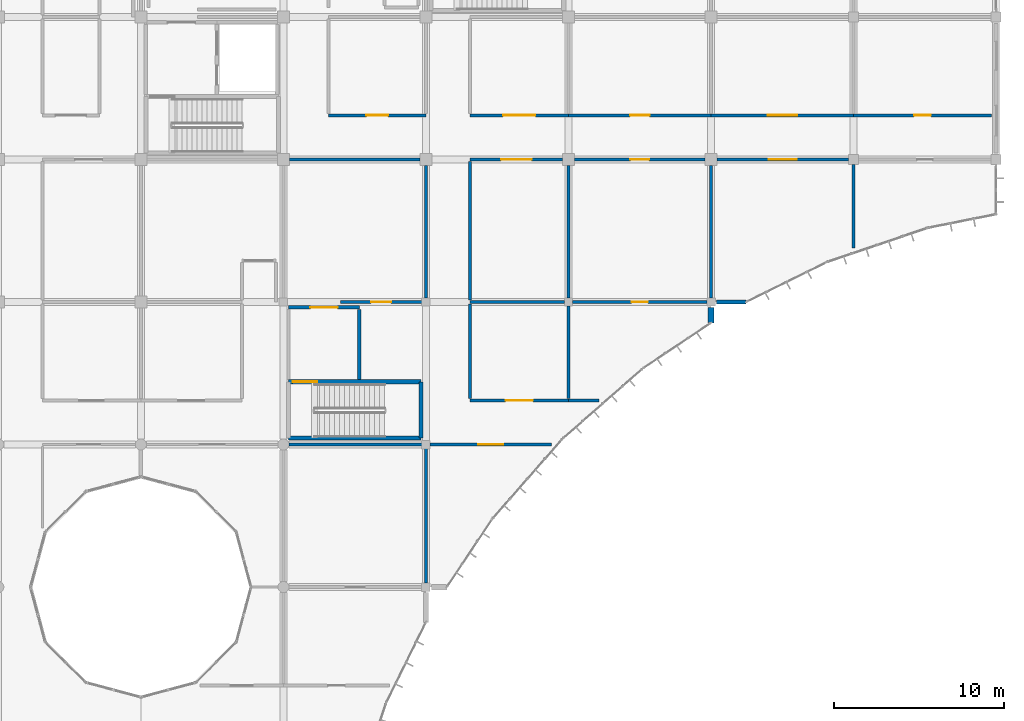
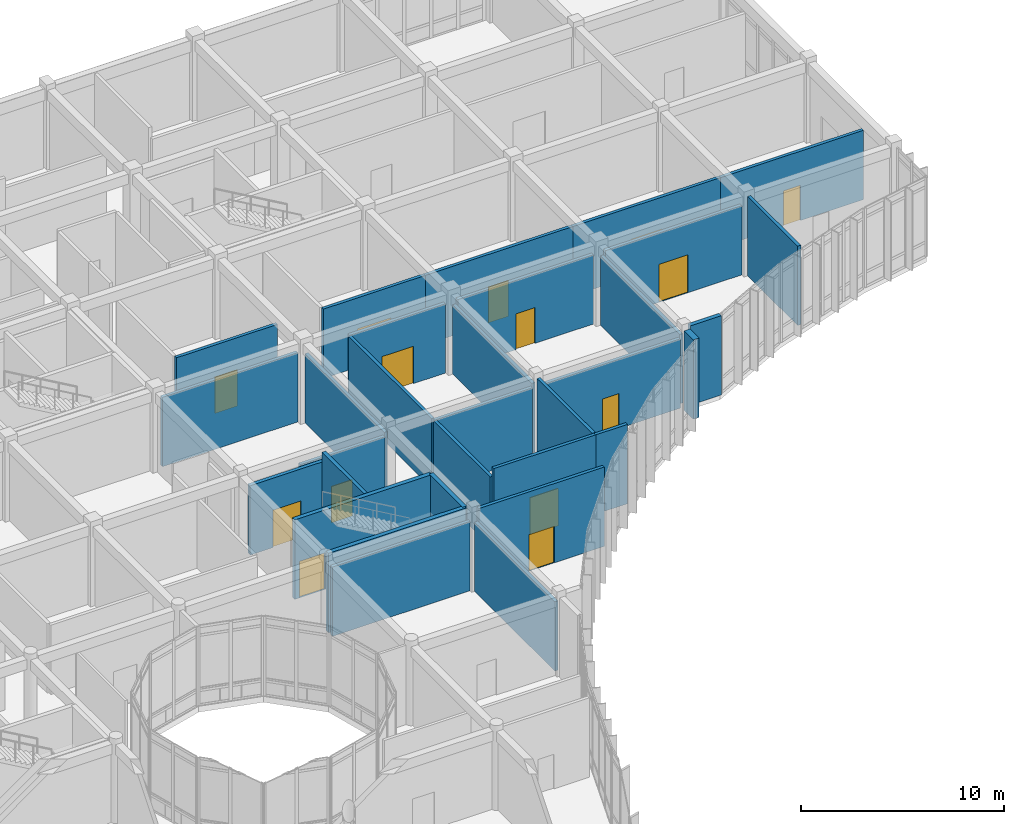
# One storey, part 110 of 134: 31 walls, 14 doors, 14 openings.
"""IFC4 building model written with IfcOpenShell, lengths in metres."""

from ifc_helpers import new_model, si_unit, direction, frame, frame_2d, origin, place, context, subcontext, project, spatial, rectangle, extrude, material, layer, layer_set, type_object, element, fill, save


model = new_model("IFC4")

# Units and contexts
model_context = context("Model", 3, precision=1e-05, world=origin(), true_north=direction((0.0, 1.0)))
body_context = subcontext(model_context, "Body", "Model", "MODEL_VIEW")
ifc_project = project(units=[si_unit("LENGTHUNIT", "METRE"), si_unit("AREAUNIT", "SQUARE_METRE"), si_unit("VOLUMEUNIT", "CUBIC_METRE"), si_unit("PLANEANGLEUNIT", "RADIAN"), si_unit("MASSUNIT", "GRAM", prefix="KILO")], contexts=[model_context])

# Site, building, storey
site_placement = place(None, origin())
site = spatial("IfcSite", under=ifc_project, at=site_placement, CompositionType="ELEMENT")
building_placement = place(site_placement, origin())
building = spatial("IfcBuilding", under=site, at=building_placement, Name="Bramfleet General Hospital", CompositionType="ELEMENT")
storey_placement = place(building_placement, frame((0.0, 0.0, 9.300048828125)))
storey = spatial("IfcBuildingStorey", under=building, at=storey_placement, Name="L02", CompositionType="ELEMENT", Elevation=9.300048828125)

# Walls
ifc_material_1 = material(Name="Precast concrete C40/50", Category="concrete")
ifc_layer_1 = layer(ifc_material_1, 0.3349609375, Name="WT-EW-03")
ifc_layer_set_1 = layer_set([ifc_layer_1], Name="Precast concrete C40/50")
wall_type_1 = type_object("IfcWallType", Name="WT-EW-03", PredefinedType="SOLIDWALL", material=ifc_layer_set_1)
wall_1_placement = place(storey_placement, frame((151.199951171875, 83.675048828125, 0.0), z_axis=(0.0, 0.0, 1.0), x_axis=(0.0, -1.0, 0.0)))
element("IfcWall", 1, at=wall_1_placement, inside=storey, type_object=wall_type_1, Name="L02 Exterior Wall 218", PredefinedType="SOLIDWALL", context=body_context, shape_type="SweptSolid", body=[
    extrude(rectangle(XDim=0.907958984375, YDim=0.3349609375, at=frame_2d((0.4541015625, 0.0))), origin(), (0.0, 0.0, 1.0), 4.77001953125),
])
ifc_layer_2 = layer(ifc_material_1, 0.235107421875, Name="WT-EW-09")
ifc_layer_set_2 = layer_set([ifc_layer_2], Name="Precast concrete C40/50")
wall_type_2 = type_object("IfcWallType", Name="WT-EW-09", PredefinedType="SOLIDWALL", material=ifc_layer_set_2)
wall_2_placement = place(storey_placement, frame((153.27392578125, 84.0, 0.0), z_axis=(0.0, 0.0, 1.0), x_axis=(-1.0, 0.0, 0.0)))
element("IfcWall", 2, at=wall_2_placement, inside=storey, type_object=wall_type_2, Name="L02 Exterior Wall 217", PredefinedType="SOLIDWALL", context=body_context, shape_type="SweptSolid", body=[
    extrude(rectangle(XDim=1.7490234375, YDim=0.235107421875, at=frame_2d((0.87451171875, 0.0))), origin(), (0.0, 0.0, 1.0), 4.77001953125),
])
ifc_material_2 = material(Name="Concrete C35/45", Category="concrete")
ifc_layer_3 = layer(ifc_material_2, 0.205078125, Name="WT-IW-02")
ifc_layer_set_3 = layer_set([ifc_layer_3], Name="Concrete C35/45")
wall_type_3 = type_object("IfcWallType", Name="WT-IW-02", PredefinedType="PARTITIONING", material=ifc_layer_set_3)
wall_3_placement = place(storey_placement, frame((130.47998046875, 79.43994140625, 0.0), z_axis=(0.0, 0.0, 1.0), x_axis=(0.0, 1.0, 0.0)))
element("IfcWall", 3, at=wall_3_placement, inside=storey, type_object=wall_type_3, Name="L02 C12 Lobby East Shaft Wall", PredefinedType="PARTITIONING", context=body_context, shape_type="SweptSolid", body=[
    extrude(rectangle(XDim=4.1201171875, YDim=0.205078125, at=frame_2d((2.06005859375, 0.0))), origin(), (0.0, 0.0, 1.0), 4.77001953125),
])

# Wall, opening, door
wall_4_placement = place(storey_placement, frame((126.300048828125, 83.679931640625, 0.0), z_axis=(0.0, 0.0, 1.0), x_axis=(1.0, 0.0, 0.0)))
wall_4 = element("IfcWall", 4, at=wall_4_placement, inside=storey, type_object=wall_type_3, Name="L02 C12 Lobby North Compartment Wall", PredefinedType="PARTITIONING", context=body_context, shape_type="SweptSolid", body=[
    extrude(rectangle(XDim=4.179931640625, YDim=0.205078125, at=frame_2d((2.08984375, 0.0))), origin(), (0.0, 0.0, 1.0), 4.169921875),
])
opening_1_placement = place(wall_4_placement, frame((1.2900390625, 0.0, 0.0)))
opening_1 = element("IfcOpeningElement", 5, at=opening_1_placement, cuts=wall_4, Name="Opening D0162", PredefinedType="OPENING", context=body_context, shape_type="SweptSolid", body=[
    extrude(rectangle(XDim=1.60009765625, YDim=2.25, at=frame_2d((0.800048828125, 1.125))), frame((0.0, 0.112548828125, 0.0), z_axis=(0.0, -1.0, 0.0), x_axis=(1.0, 0.0, 0.0)), (0.0, 0.0, 1.0), 0.22509765625),
])
ifc_material_3 = material(Name="Stainless steel and acoustic timber leaf", Category="steel")
door_type_1 = type_object("IfcDoorType", Name="DR-D-04", OperationType="NOTDEFINED", PredefinedType="DOOR", material=ifc_material_3)
door_1_placement = place(opening_1_placement, origin())
door_1 = element("IfcDoor", 6, at=door_1_placement, inside=storey, type_object=door_type_1, Name="L02 C12 Lobby Fire Door D0162", OperationType="DOUBLE_SWING_LEFT", OverallHeight=2.25, OverallWidth=1.60009765625, PredefinedType="DOOR", context=body_context, shape_type="SweptSolid", body=[
    extrude(rectangle(XDim=1.60009765625, YDim=2.25, at=frame_2d((0.800048828125, 1.125))), frame((0.0, 0.02490234375, 0.0), z_axis=(0.0, -1.0, 0.0), x_axis=(1.0, 0.0, 0.0)), (0.0, 0.0, 1.0), 0.050048828125),
])
fill(opening_1, door_1)

# Wall
ifc_layer_4 = layer(ifc_material_2, 0.179931640625, Name="WT-IW-04")
ifc_layer_set_4 = layer_set([ifc_layer_4], Name="Concrete C35/45")
wall_type_4 = type_object("IfcWallType", Name="WT-IW-04", PredefinedType="PARTITIONING", material=ifc_layer_set_4)
wall_5_placement = place(storey_placement, frame((126.320068359375, 75.60009765625, 0.0), z_axis=(0.0, 0.0, 1.0), x_axis=(1.0, 0.0, 0.0)))
element("IfcWall", 7, at=wall_5_placement, inside=storey, type_object=wall_type_4, Name="L02 Interior Partition IW-L02-2027", PredefinedType="PARTITIONING", context=body_context, shape_type="SweptSolid", body=[
    extrude(rectangle(XDim=7.8349609375, YDim=0.179931640625, at=frame_2d((3.91748046875, 0.0))), origin(), (0.0, 0.0, 1.0), 4.169921875),
])

# Wall, opening, door
wall_6_placement = place(storey_placement, frame((134.64501953125, 75.60009765625, 0.0), z_axis=(0.0, 0.0, 1.0), x_axis=(1.0, 0.0, 0.0)))
wall_6 = element("IfcWall", 8, at=wall_6_placement, inside=storey, type_object=wall_type_4, Name="L02 Interior Partition IW-L02-2028", PredefinedType="PARTITIONING", context=body_context, shape_type="SweptSolid", body=[
    extrude(rectangle(XDim=7.142578125, YDim=0.179931640625, at=frame_2d((3.5712890625, 0.0))), origin(), (0.0, 0.0, 1.0), 4.77001953125),
])
opening_2_placement = place(wall_6_placement, frame((2.84619140625, 0.0, 0.0)))
opening_2 = element("IfcOpeningElement", 9, at=opening_2_placement, cuts=wall_6, Name="Opening D0995", PredefinedType="OPENING", context=body_context, shape_type="SweptSolid", body=[
    extrude(rectangle(XDim=1.449951171875, YDim=2.199951171875, at=frame_2d((0.72509765625, 1.10009765625))), frame((0.0, 0.099853515625, 0.0), z_axis=(0.0, -1.0, 0.0), x_axis=(1.0, 0.0, 0.0)), (0.0, 0.0, 1.0), 0.199951171875),
])
door_type_2 = type_object("IfcDoorType", Name="DR-D-03", OperationType="NOTDEFINED", PredefinedType="DOOR", material=ifc_material_3)
door_2_placement = place(opening_2_placement, origin())
door_2 = element("IfcDoor", 10, at=door_2_placement, inside=storey, type_object=door_type_2, Name="Interventional Cardiology Cath Lab L02-1608 Door D0995", OperationType="SINGLE_SWING_RIGHT", OverallHeight=2.199951171875, OverallWidth=1.449951171875, PredefinedType="DOOR", context=body_context, shape_type="SweptSolid", body=[
    extrude(rectangle(XDim=1.449951171875, YDim=2.199951171875, at=frame_2d((0.72509765625, 1.10009765625))), frame((0.0, 0.02490234375, 0.0), z_axis=(0.0, -1.0, 0.0), x_axis=(1.0, 0.0, 0.0)), (0.0, 0.0, 1.0), 0.050048828125),
])
fill(opening_2, door_2)

wall_7_placement = place(storey_placement, frame((137.0, 78.199951171875, 0.0), z_axis=(0.0, 0.0, 1.0), x_axis=(1.0, 0.0, 0.0)))
wall_7 = element("IfcWall", 11, at=wall_7_placement, inside=storey, type_object=wall_type_4, Name="L02 Interior Partition IW-L02-2044", PredefinedType="PARTITIONING", context=body_context, shape_type="SweptSolid", body=[
    extrude(rectangle(XDim=5.800048828125, YDim=0.179931640625, at=frame_2d((2.89990234375, 0.0))), origin(), (0.0, 0.0, 1.0), 4.77001953125),
])
opening_3_placement = place(wall_7_placement, frame((2.10009765625, 0.0, 0.0)))
opening_3 = element("IfcOpeningElement", 12, at=opening_3_placement, cuts=wall_7, Name="Opening D0996", PredefinedType="OPENING", context=body_context, shape_type="SweptSolid", body=[
    extrude(rectangle(XDim=1.60009765625, YDim=2.25, at=frame_2d((0.800048828125, 1.125))), frame((0.0, 0.099853515625, 0.0), z_axis=(0.0, -1.0, 0.0), x_axis=(1.0, 0.0, 0.0)), (0.0, 0.0, 1.0), 0.199951171875),
])
door_3_placement = place(opening_3_placement, origin())
door_3 = element("IfcDoor", 13, at=door_3_placement, inside=storey, type_object=door_type_1, Name="Interventional Cardiology Cath Lab L02-1609 Door D0996", OperationType="DOUBLE_SWING_LEFT", OverallHeight=2.25, OverallWidth=1.60009765625, PredefinedType="DOOR", context=body_context, shape_type="SweptSolid", body=[
    extrude(rectangle(XDim=1.60009765625, YDim=2.25, at=frame_2d((0.800048828125, 1.125))), frame((0.0, 0.02490234375, 0.0), z_axis=(0.0, -1.0, 0.0), x_axis=(1.0, 0.0, 0.0)), (0.0, 0.0, 1.0), 0.050048828125),
])
fill(opening_3, door_3)

# Wall
wall_8_placement = place(storey_placement, frame((142.800048828125, 78.199951171875, 0.0), z_axis=(0.0, 0.0, 1.0), x_axis=(1.0, 0.0, 0.0)))
element("IfcWall", 14, at=wall_8_placement, inside=storey, type_object=wall_type_4, Name="L02 Interior Partition IW-L02-2045", PredefinedType="PARTITIONING", context=body_context, shape_type="SweptSolid", body=[
    extrude(rectangle(XDim=1.809814453125, YDim=0.179931640625, at=frame_2d((0.90478515625, 0.0))), origin(), (0.0, 0.0, 1.0), 4.77001953125),
])

# Wall, opening, door
wall_9_placement = place(storey_placement, frame((129.35009765625, 84.0, 0.0), z_axis=(0.0, 0.0, 1.0), x_axis=(1.0, 0.0, 0.0)))
wall_9 = element("IfcWall", 15, at=wall_9_placement, inside=storey, type_object=wall_type_4, Name="L02 Interior Partition IW-L02-2061", PredefinedType="PARTITIONING", context=body_context, shape_type="SweptSolid", body=[
    extrude(rectangle(XDim=4.804931640625, YDim=0.179931640625, at=frame_2d((2.40234375, 0.0))), origin(), (0.0, 0.0, 1.0), 4.169921875),
])
opening_4_placement = place(wall_9_placement, frame((1.8125, 0.0, 0.0)))
opening_4 = element("IfcOpeningElement", 16, at=opening_4_placement, cuts=wall_9, Name="Opening D0988", PredefinedType="OPENING", context=body_context, shape_type="SweptSolid", body=[
    extrude(rectangle(XDim=1.179931640625, YDim=2.179931640625, at=frame_2d((0.58984375, 1.08984375))), frame((0.0, 0.099853515625, 0.0), z_axis=(0.0, -1.0, 0.0), x_axis=(1.0, 0.0, 0.0)), (0.0, 0.0, 1.0), 0.199951171875),
])
door_type_3 = type_object("IfcDoorType", Name="DR-D-28", OperationType="NOTDEFINED", PredefinedType="DOOR", material=ifc_material_3)
door_4_placement = place(opening_4_placement, origin())
door_4 = element("IfcDoor", 17, at=door_4_placement, inside=storey, type_object=door_type_3, Name="Interventional Cardiology Cath Lab L02-1510 Door D0988", OperationType="SINGLE_SWING_LEFT", OverallHeight=2.179931640625, OverallWidth=1.179931640625, PredefinedType="DOOR", context=body_context, shape_type="SweptSolid", body=[
    extrude(rectangle(XDim=1.179931640625, YDim=2.179931640625, at=frame_2d((0.58984375, 1.08984375))), frame((0.0, 0.02490234375, 0.0), z_axis=(0.0, -1.0, 0.0), x_axis=(1.0, 0.0, 0.0)), (0.0, 0.0, 1.0), 0.050048828125),
])
fill(opening_4, door_4)

# Wall
wall_10_placement = place(storey_placement, frame((137.0, 84.0, 0.0), z_axis=(0.0, 0.0, 1.0), x_axis=(1.0, 0.0, 0.0)))
element("IfcWall", 18, at=wall_10_placement, inside=storey, type_object=wall_type_4, Name="L02 Interior Partition IW-L02-2062", PredefinedType="PARTITIONING", context=body_context, shape_type="SweptSolid", body=[
    extrude(rectangle(XDim=5.554931640625, YDim=0.179931640625, at=frame_2d((2.77734375, 0.0))), origin(), (0.0, 0.0, 1.0), 4.169921875),
])

# Wall, opening, door
wall_11_placement = place(storey_placement, frame((143.044921875, 84.0, 0.0), z_axis=(0.0, 0.0, 1.0), x_axis=(1.0, 0.0, 0.0)))
wall_11 = element("IfcWall", 19, at=wall_11_placement, inside=storey, type_object=wall_type_4, Name="L02 Interior Partition IW-L02-2063", PredefinedType="PARTITIONING", context=body_context, shape_type="SweptSolid", body=[
    extrude(rectangle(XDim=7.91015625, YDim=0.179931640625, at=frame_2d((3.955078125, 0.0))), origin(), (0.0, 0.0, 1.0), 4.169921875),
])
opening_5_placement = place(wall_11_placement, frame((3.47998046875, 0.0, 0.0)))
opening_5 = element("IfcOpeningElement", 20, at=opening_5_placement, cuts=wall_11, Name="Opening D1002", PredefinedType="OPENING", context=body_context, shape_type="SweptSolid", body=[
    extrude(rectangle(XDim=0.949951171875, YDim=2.10009765625, at=frame_2d((0.47509765625, 1.050048828125))), frame((0.0, 0.099853515625, 0.0), z_axis=(0.0, -1.0, 0.0), x_axis=(1.0, 0.0, 0.0)), (0.0, 0.0, 1.0), 0.199951171875),
])
door_type_4 = type_object("IfcDoorType", Name="DR-D-10", OperationType="NOTDEFINED", PredefinedType="DOOR", material=ifc_material_3)
door_5_placement = place(opening_5_placement, origin())
door_5 = element("IfcDoor", 21, at=door_5_placement, inside=storey, type_object=door_type_4, Name="Interventional Cardiology Cath Lab L02-1709 Door D1002", OperationType="SINGLE_SWING_LEFT", OverallHeight=2.10009765625, OverallWidth=0.949951171875, PredefinedType="DOOR", context=body_context, shape_type="SweptSolid", body=[
    extrude(rectangle(XDim=0.949951171875, YDim=2.10009765625, at=frame_2d((0.47509765625, 1.050048828125))), frame((0.0, 0.02490234375, 0.0), z_axis=(0.0, -1.0, 0.0), x_axis=(1.0, 0.0, 0.0)), (0.0, 0.0, 1.0), 0.050048828125),
])
fill(opening_5, door_5)

# Wall
wall_12_placement = place(storey_placement, frame((126.344970703125, 92.39990234375, 0.0), z_axis=(0.0, 0.0, 1.0), x_axis=(1.0, 0.0, 0.0)))
element("IfcWall", 22, at=wall_12_placement, inside=storey, type_object=wall_type_4, Name="L02 Interior Partition IW-L02-2090", PredefinedType="PARTITIONING", context=body_context, shape_type="SweptSolid", body=[
    extrude(rectangle(XDim=7.7099609375, YDim=0.179931640625, at=frame_2d((3.85498046875, 0.0))), origin(), (0.0, 0.0, 1.0), 4.169921875),
])

# Wall, opening, door
wall_13_placement = place(storey_placement, frame((137.0, 92.39990234375, 0.0), z_axis=(0.0, 0.0, 1.0), x_axis=(1.0, 0.0, 0.0)))
wall_13 = element("IfcWall", 23, at=wall_13_placement, inside=storey, type_object=wall_type_4, Name="L02 Interior Partition IW-L02-2091", PredefinedType="PARTITIONING", context=body_context, shape_type="SweptSolid", body=[
    extrude(rectangle(XDim=5.455078125, YDim=0.179931640625, at=frame_2d((2.7275390625, 0.0))), origin(), (0.0, 0.0, 1.0), 4.169921875),
])
opening_6_placement = place(wall_13_placement, frame((1.827392578125, 0.0, 0.0)))
opening_6 = element("IfcOpeningElement", 24, at=opening_6_placement, cuts=wall_13, Name="Opening D0997", PredefinedType="OPENING", context=body_context, shape_type="SweptSolid", body=[
    extrude(rectangle(XDim=1.800048828125, YDim=2.25, at=frame_2d((0.89990234375, 1.125))), frame((0.0, 0.099853515625, 0.0), z_axis=(0.0, -1.0, 0.0), x_axis=(1.0, 0.0, 0.0)), (0.0, 0.0, 1.0), 0.199951171875),
])
door_type_5 = type_object("IfcDoorType", Name="DR-D-05", OperationType="NOTDEFINED", PredefinedType="DOOR", material=ifc_material_3)
door_6_placement = place(opening_6_placement, origin())
door_6 = element("IfcDoor", 25, at=door_6_placement, inside=storey, type_object=door_type_5, Name="Interventional Cardiology Cath Lab L02-1610 Door D0997", OperationType="DOUBLE_SWING_RIGHT", OverallHeight=2.25, OverallWidth=1.800048828125, PredefinedType="DOOR", context=body_context, shape_type="SweptSolid", body=[
    extrude(rectangle(XDim=1.800048828125, YDim=2.25, at=frame_2d((0.89990234375, 1.125))), frame((0.0, 0.02490234375, 0.0), z_axis=(0.0, -1.0, 0.0), x_axis=(1.0, 0.0, 0.0)), (0.0, 0.0, 1.0), 0.050048828125),
])
fill(opening_6, door_6)

wall_14_placement = place(storey_placement, frame((143.14501953125, 92.39990234375, 0.0), z_axis=(0.0, 0.0, 1.0), x_axis=(1.0, 0.0, 0.0)))
wall_14 = element("IfcWall", 26, at=wall_14_placement, inside=storey, type_object=wall_type_4, Name="L02 Interior Partition IW-L02-2092", PredefinedType="PARTITIONING", context=body_context, shape_type="SweptSolid", body=[
    extrude(rectangle(XDim=7.7099609375, YDim=0.179931640625, at=frame_2d((3.85498046875, 0.0))), origin(), (0.0, 0.0, 1.0), 4.169921875),
])
opening_7_placement = place(wall_14_placement, frame((3.304931640625, 0.0, 0.0)))
opening_7 = element("IfcOpeningElement", 27, at=opening_7_placement, cuts=wall_14, Name="Opening D1003", PredefinedType="OPENING", context=body_context, shape_type="SweptSolid", body=[
    extrude(rectangle(XDim=1.10009765625, YDim=2.14990234375, at=frame_2d((0.550048828125, 1.074951171875))), frame((0.0, 0.099853515625, 0.0), z_axis=(0.0, -1.0, 0.0), x_axis=(1.0, 0.0, 0.0)), (0.0, 0.0, 1.0), 0.199951171875),
])
door_type_6 = type_object("IfcDoorType", Name="DR-D-11", OperationType="NOTDEFINED", PredefinedType="DOOR", material=ifc_material_3)
door_7_placement = place(opening_7_placement, origin())
door_7 = element("IfcDoor", 28, at=door_7_placement, inside=storey, type_object=door_type_6, Name="Interventional Cardiology Cath Lab L02-1710 Door D1003", OperationType="SINGLE_SWING_RIGHT", OverallHeight=2.14990234375, OverallWidth=1.10009765625, PredefinedType="DOOR", context=body_context, shape_type="SweptSolid", body=[
    extrude(rectangle(XDim=1.10009765625, YDim=2.14990234375, at=frame_2d((0.550048828125, 1.074951171875))), frame((0.0, 0.02490234375, 0.0), z_axis=(0.0, -1.0, 0.0), x_axis=(1.0, 0.0, 0.0)), (0.0, 0.0, 1.0), 0.050048828125),
])
fill(opening_7, door_7)

wall_15_placement = place(storey_placement, frame((151.544921875, 92.39990234375, 0.0), z_axis=(0.0, 0.0, 1.0), x_axis=(1.0, 0.0, 0.0)))
wall_15 = element("IfcWall", 29, at=wall_15_placement, inside=storey, type_object=wall_type_4, Name="L02 Interior Partition IW-L02-2093", PredefinedType="PARTITIONING", context=body_context, shape_type="SweptSolid", body=[
    extrude(rectangle(XDim=7.760009765625, YDim=0.179931640625, at=frame_2d((3.8798828125, 0.0))), origin(), (0.0, 0.0, 1.0), 4.169921875),
])
opening_8_placement = place(wall_15_placement, frame((3.06005859375, 0.0, 0.0)))
opening_8 = element("IfcOpeningElement", 30, at=opening_8_placement, cuts=wall_15, Name="Opening D1010", PredefinedType="OPENING", context=body_context, shape_type="SweptSolid", body=[
    extrude(rectangle(XDim=1.639892578125, YDim=2.280029296875, at=frame_2d((0.81982421875, 1.14013671875))), frame((0.0, 0.099853515625, 0.0), z_axis=(0.0, -1.0, 0.0), x_axis=(1.0, 0.0, 0.0)), (0.0, 0.0, 1.0), 0.199951171875),
])
door_type_7 = type_object("IfcDoorType", Name="DR-D-18", OperationType="NOTDEFINED", PredefinedType="DOOR", material=ifc_material_3)
door_8_placement = place(opening_8_placement, origin())
door_8 = element("IfcDoor", 31, at=door_8_placement, inside=storey, type_object=door_type_7, Name="Interventional Cardiology Cath Lab L02-1810 Door D1010", OperationType="DOUBLE_SWING_LEFT", OverallHeight=2.280029296875, OverallWidth=1.639892578125, PredefinedType="DOOR", context=body_context, shape_type="SweptSolid", body=[
    extrude(rectangle(XDim=1.639892578125, YDim=2.280029296875, at=frame_2d((0.81982421875, 1.14013671875))), frame((0.0, 0.02490234375, 0.0), z_axis=(0.0, -1.0, 0.0), x_axis=(1.0, 0.0, 0.0)), (0.0, 0.0, 1.0), 0.050048828125),
])
fill(opening_8, door_8)

wall_16_placement = place(storey_placement, frame((128.64990234375, 95.0, 0.0), z_axis=(0.0, 0.0, 1.0), x_axis=(1.0, 0.0, 0.0)))
wall_16 = element("IfcWall", 32, at=wall_16_placement, inside=storey, type_object=wall_type_4, Name="L02 Interior Partition IW-L02-2108", PredefinedType="PARTITIONING", context=body_context, shape_type="SweptSolid", body=[
    extrude(rectangle(XDim=5.75, YDim=0.179931640625, at=frame_2d((2.875, 0.0))), origin(), (0.0, 0.0, 1.0), 4.169921875),
])
opening_9_placement = place(wall_16_placement, frame((2.235107421875, 0.0, 0.0)))
opening_9 = element("IfcOpeningElement", 33, at=opening_9_placement, cuts=wall_16, Name="Opening D0989", PredefinedType="OPENING", context=body_context, shape_type="SweptSolid", body=[
    extrude(rectangle(XDim=1.280029296875, YDim=2.179931640625, at=frame_2d((0.64013671875, 1.08984375))), frame((0.0, 0.099853515625, 0.0), z_axis=(0.0, -1.0, 0.0), x_axis=(1.0, 0.0, 0.0)), (0.0, 0.0, 1.0), 0.199951171875),
])
door_type_8 = type_object("IfcDoorType", Name="DR-D-29", OperationType="NOTDEFINED", PredefinedType="DOOR", material=ifc_material_3)
door_9_placement = place(opening_9_placement, origin())
door_9 = element("IfcDoor", 34, at=door_9_placement, inside=storey, type_object=door_type_8, Name="Interventional Cardiology Cath Lab L02-1511 Door D0989", OperationType="SINGLE_SWING_RIGHT", OverallHeight=2.179931640625, OverallWidth=1.280029296875, PredefinedType="DOOR", context=body_context, shape_type="SweptSolid", body=[
    extrude(rectangle(XDim=1.280029296875, YDim=2.179931640625, at=frame_2d((0.64013671875, 1.08984375))), frame((0.0, 0.02490234375, 0.0), z_axis=(0.0, -1.0, 0.0), x_axis=(1.0, 0.0, 0.0)), (0.0, 0.0, 1.0), 0.050048828125),
])
fill(opening_9, door_9)

wall_17_placement = place(storey_placement, frame((137.0, 95.0, 0.0), z_axis=(0.0, 0.0, 1.0), x_axis=(1.0, 0.0, 0.0)))
wall_17 = element("IfcWall", 35, at=wall_17_placement, inside=storey, type_object=wall_type_4, Name="L02 Interior Partition IW-L02-2109", PredefinedType="PARTITIONING", context=body_context, shape_type="SweptSolid", body=[
    extrude(rectangle(XDim=5.800048828125, YDim=0.179931640625, at=frame_2d((2.89990234375, 0.0))), origin(), (0.0, 0.0, 1.0), 4.169921875),
])
opening_10_placement = place(wall_17_placement, frame((1.949951171875, 0.0, 0.0)))
opening_10 = element("IfcOpeningElement", 36, at=opening_10_placement, cuts=wall_17, Name="Opening D0998", PredefinedType="OPENING", context=body_context, shape_type="SweptSolid", body=[
    extrude(rectangle(XDim=1.89990234375, YDim=2.300048828125, at=frame_2d((0.949951171875, 1.14990234375))), frame((0.0, 0.099853515625, 0.0), z_axis=(0.0, -1.0, 0.0), x_axis=(1.0, 0.0, 0.0)), (0.0, 0.0, 1.0), 0.199951171875),
])
door_type_9 = type_object("IfcDoorType", Name="DR-D-06", OperationType="NOTDEFINED", PredefinedType="DOOR", material=ifc_material_3)
door_10_placement = place(opening_10_placement, origin())
door_10 = element("IfcDoor", 37, at=door_10_placement, inside=storey, type_object=door_type_9, Name="Interventional Cardiology Cath Lab L02-1611 Door D0998", OperationType="DOUBLE_SWING_LEFT", OverallHeight=2.300048828125, OverallWidth=1.89990234375, PredefinedType="DOOR", context=body_context, shape_type="SweptSolid", body=[
    extrude(rectangle(XDim=1.89990234375, YDim=2.300048828125, at=frame_2d((0.949951171875, 1.14990234375))), frame((0.0, 0.02490234375, 0.0), z_axis=(0.0, -1.0, 0.0), x_axis=(1.0, 0.0, 0.0)), (0.0, 0.0, 1.0), 0.050048828125),
])
fill(opening_10, door_10)

wall_18_placement = place(storey_placement, frame((142.800048828125, 95.0, 0.0), z_axis=(0.0, 0.0, 1.0), x_axis=(1.0, 0.0, 0.0)))
wall_18 = element("IfcWall", 38, at=wall_18_placement, inside=storey, type_object=wall_type_4, Name="L02 Interior Partition IW-L02-2110", PredefinedType="PARTITIONING", context=body_context, shape_type="SweptSolid", body=[
    extrude(rectangle(XDim=8.39990234375, YDim=0.179931640625, at=frame_2d((4.199951171875, 0.0))), origin(), (0.0, 0.0, 1.0), 4.169921875),
])
opening_11_placement = place(wall_18_placement, frame((3.625, 0.0, 0.0)))
opening_11 = element("IfcOpeningElement", 39, at=opening_11_placement, cuts=wall_18, Name="Opening D1004", PredefinedType="OPENING", context=body_context, shape_type="SweptSolid", body=[
    extrude(rectangle(XDim=1.14990234375, YDim=2.14990234375, at=frame_2d((0.574951171875, 1.074951171875))), frame((0.0, 0.099853515625, 0.0), z_axis=(0.0, -1.0, 0.0), x_axis=(1.0, 0.0, 0.0)), (0.0, 0.0, 1.0), 0.199951171875),
])
door_type_10 = type_object("IfcDoorType", Name="DR-D-12", OperationType="NOTDEFINED", PredefinedType="DOOR", material=ifc_material_3)
door_11_placement = place(opening_11_placement, origin())
door_11 = element("IfcDoor", 40, at=door_11_placement, inside=storey, type_object=door_type_10, Name="Interventional Cardiology Cath Lab L02-1711 Door D1004", OperationType="SINGLE_SWING_LEFT", OverallHeight=2.14990234375, OverallWidth=1.14990234375, PredefinedType="DOOR", context=body_context, shape_type="SweptSolid", body=[
    extrude(rectangle(XDim=1.14990234375, YDim=2.14990234375, at=frame_2d((0.574951171875, 1.074951171875))), frame((0.0, 0.02490234375, 0.0), z_axis=(0.0, -1.0, 0.0), x_axis=(1.0, 0.0, 0.0)), (0.0, 0.0, 1.0), 0.050048828125),
])
fill(opening_11, door_11)

wall_19_placement = place(storey_placement, frame((151.199951171875, 95.0, 0.0), z_axis=(0.0, 0.0, 1.0), x_axis=(1.0, 0.0, 0.0)))
wall_19 = element("IfcWall", 41, at=wall_19_placement, inside=storey, type_object=wall_type_4, Name="L02 Interior Partition IW-L02-2111", PredefinedType="PARTITIONING", context=body_context, shape_type="SweptSolid", body=[
    extrude(rectangle(XDim=8.400146484375, YDim=0.179931640625, at=frame_2d((4.2001953125, 0.0))), origin(), (0.0, 0.0, 1.0), 4.169921875),
])
opening_12_placement = place(wall_19_placement, frame((3.330078125, 0.0, 0.0)))
opening_12 = element("IfcOpeningElement", 42, at=opening_12_placement, cuts=wall_19, Name="Opening D1011", PredefinedType="OPENING", context=body_context, shape_type="SweptSolid", body=[
    extrude(rectangle(XDim=1.739990234375, YDim=2.239990234375, at=frame_2d((0.8701171875, 1.1201171875))), frame((0.0, 0.099853515625, 0.0), z_axis=(0.0, -1.0, 0.0), x_axis=(1.0, 0.0, 0.0)), (0.0, 0.0, 1.0), 0.199951171875),
])
door_type_11 = type_object("IfcDoorType", Name="DR-D-19", OperationType="NOTDEFINED", PredefinedType="DOOR", material=ifc_material_3)
door_12_placement = place(opening_12_placement, origin())
door_12 = element("IfcDoor", 43, at=door_12_placement, inside=storey, type_object=door_type_11, Name="Interventional Cardiology Cath Lab L02-1811 Door D1011", OperationType="DOUBLE_SWING_RIGHT", OverallHeight=2.239990234375, OverallWidth=1.739990234375, PredefinedType="DOOR", context=body_context, shape_type="SweptSolid", body=[
    extrude(rectangle(XDim=1.739990234375, YDim=2.239990234375, at=frame_2d((0.8701171875, 1.1201171875))), frame((0.0, 0.02490234375, 0.0), z_axis=(0.0, -1.0, 0.0), x_axis=(1.0, 0.0, 0.0)), (0.0, 0.0, 1.0), 0.050048828125),
])
fill(opening_12, door_12)

wall_20_placement = place(storey_placement, frame((159.60009765625, 95.0, 0.0), z_axis=(0.0, 0.0, 1.0), x_axis=(1.0, 0.0, 0.0)))
wall_20 = element("IfcWall", 44, at=wall_20_placement, inside=storey, type_object=wall_type_4, Name="L02 Interior Partition IW-L02-2112", PredefinedType="PARTITIONING", context=body_context, shape_type="SweptSolid", body=[
    extrude(rectangle(XDim=8.119873046875, YDim=0.179931640625, at=frame_2d((4.06005859375, 0.0))), origin(), (0.0, 0.0, 1.0), 4.169921875),
])
opening_13_placement = place(wall_20_placement, frame((3.570068359375, 0.0, 0.0)))
opening_13 = element("IfcOpeningElement", 45, at=opening_13_placement, cuts=wall_20, Name="Opening D1018", PredefinedType="OPENING", context=body_context, shape_type="SweptSolid", body=[
    extrude(rectangle(XDim=0.97998046875, YDim=2.1201171875, at=frame_2d((0.489990234375, 1.06005859375))), frame((0.0, 0.099853515625, 0.0), z_axis=(0.0, -1.0, 0.0), x_axis=(1.0, 0.0, 0.0)), (0.0, 0.0, 1.0), 0.199951171875),
])
door_type_12 = type_object("IfcDoorType", Name="DR-D-26", OperationType="NOTDEFINED", PredefinedType="DOOR", material=ifc_material_3)
door_13_placement = place(opening_13_placement, origin())
door_13 = element("IfcDoor", 46, at=door_13_placement, inside=storey, type_object=door_type_12, Name="Interventional Cardiology Cath Lab L02-1911 Door D1018", OperationType="SINGLE_SWING_LEFT", OverallHeight=2.1201171875, OverallWidth=0.97998046875, PredefinedType="DOOR", context=body_context, shape_type="SweptSolid", body=[
    extrude(rectangle(XDim=0.97998046875, YDim=2.1201171875, at=frame_2d((0.489990234375, 1.06005859375))), frame((0.0, 0.02490234375, 0.0), z_axis=(0.0, -1.0, 0.0), x_axis=(1.0, 0.0, 0.0)), (0.0, 0.0, 1.0), 0.050048828125),
])
fill(opening_13, door_13)

# Walls
wall_21_placement = place(storey_placement, frame((134.39990234375, 67.445068359375, 0.0), z_axis=(0.0, 0.0, 1.0), x_axis=(0.0, 1.0, 0.0)))
element("IfcWall", 47, at=wall_21_placement, inside=storey, type_object=wall_type_4, Name="L02 Interior Partition IW-L02-2417", PredefinedType="PARTITIONING", context=body_context, shape_type="SweptSolid", body=[
    extrude(rectangle(XDim=7.909912109375, YDim=0.179931640625, at=frame_2d((3.955078125, 0.0))), origin(), (0.0, 0.0, 1.0), 4.169921875),
])
wall_22_placement = place(storey_placement, frame((134.39990234375, 84.2451171875, 0.0), z_axis=(0.0, 0.0, 1.0), x_axis=(0.0, 1.0, 0.0)))
element("IfcWall", 48, at=wall_22_placement, inside=storey, type_object=wall_type_4, Name="L02 Interior Partition IW-L02-2418", PredefinedType="PARTITIONING", context=body_context, shape_type="SweptSolid", body=[
    extrude(rectangle(XDim=7.809814453125, YDim=0.179931640625, at=frame_2d((3.90478515625, 0.0))), origin(), (0.0, 0.0, 1.0), 4.169921875),
])
wall_23_placement = place(storey_placement, frame((137.0, 78.31494140625, 0.0), z_axis=(0.0, 0.0, 1.0), x_axis=(0.0, 1.0, 0.0)))
element("IfcWall", 49, at=wall_23_placement, inside=storey, type_object=wall_type_4, Name="L02 Interior Partition IW-L02-2425", PredefinedType="PARTITIONING", context=body_context, shape_type="SweptSolid", body=[
    extrude(rectangle(XDim=5.570068359375, YDim=0.179931640625, at=frame_2d((2.78515625, 0.0))), origin(), (0.0, 0.0, 1.0), 4.169921875),
])
wall_24_placement = place(storey_placement, frame((137.0, 84.114990234375, 0.0), z_axis=(0.0, 0.0, 1.0), x_axis=(0.0, 1.0, 0.0)))
element("IfcWall", 50, at=wall_24_placement, inside=storey, type_object=wall_type_4, Name="L02 Interior Partition IW-L02-2426", PredefinedType="PARTITIONING", context=body_context, shape_type="SweptSolid", body=[
    extrude(rectangle(XDim=8.169921875, YDim=0.179931640625, at=frame_2d((4.0849609375, 0.0))), origin(), (0.0, 0.0, 1.0), 4.169921875),
])
wall_25_placement = place(storey_placement, frame((142.800048828125, 78.31494140625, 0.0), z_axis=(0.0, 0.0, 1.0), x_axis=(0.0, 1.0, 0.0)))
element("IfcWall", 51, at=wall_25_placement, inside=storey, type_object=wall_type_4, Name="L02 Interior Partition IW-L02-2434", PredefinedType="PARTITIONING", context=body_context, shape_type="SweptSolid", body=[
    extrude(rectangle(XDim=5.43994140625, YDim=0.179931640625, at=frame_2d((2.719970703125, 0.0))), origin(), (0.0, 0.0, 1.0), 4.77001953125),
])
for number, where, z_axis, x_axis, name in (
    (52, (142.800048828125, 84.2451171875, 0.0), (0.0, 0.0, 1.0), (0.0, 1.0, 0.0), "L02 Interior Partition IW-L02-2435"),
    (53, (151.199951171875, 84.2451171875, 0.0), (0.0, 0.0, 1.0), (0.0, 1.0, 0.0), "L02 Interior Partition IW-L02-2442"),
):
    element("IfcWall", number, at=place(storey_placement, frame(where, z_axis=z_axis, x_axis=x_axis)), inside=storey, type_object=wall_type_4, Name=name, PredefinedType="PARTITIONING", context=body_context, shape_type="SweptSolid", body=[
        extrude(rectangle(XDim=7.809814453125, YDim=0.179931640625, at=frame_2d((3.90478515625, 0.0))), origin(), (0.0, 0.0, 1.0), 4.169921875),
    ])
wall_26_placement = place(storey_placement, frame((159.60009765625, 87.17431640625, 0.0), z_axis=(0.0, 0.0, 1.0), x_axis=(0.0, 1.0, 0.0)))
element("IfcWall", 54, at=wall_26_placement, inside=storey, type_object=wall_type_4, Name="L02 Interior Partition IW-L02-2450", PredefinedType="PARTITIONING", context=body_context, shape_type="SweptSolid", body=[
    extrude(rectangle(XDim=4.9306640625, YDim=0.179931640625, at=frame_2d((2.46533203125, 0.0))), origin(), (0.0, 0.0, 1.0), 4.77001953125),
])
ifc_material_4 = material(Name="Concrete C40/50", Category="concrete")
ifc_layer_5 = layer(ifc_material_4, 0.239990234375, Name="WT-SW-240")
ifc_layer_set_5 = layer_set([ifc_layer_5], Name="Concrete C40/50")
wall_type_5 = type_object("IfcWallType", Name="WT-SW-240", PredefinedType="SHEAR", material=ifc_layer_set_5)
wall_27_placement = place(storey_placement, frame((126.300048828125, 75.97998046875, 0.0), z_axis=(0.0, 0.0, 1.0), x_axis=(1.0, 0.0, 0.0)))
element("IfcWall", 55, at=wall_27_placement, inside=storey, type_object=wall_type_5, Name="L02 C12 South Stair Shear Wall", PredefinedType="SHEAR", context=body_context, shape_type="SweptSolid", body=[
    extrude(rectangle(XDim=7.820068359375, YDim=0.239990234375, at=frame_2d((3.91015625, 0.0))), origin(), (0.0, 0.0, 1.0), 4.780029296875),
])
wall_28_placement = place(storey_placement, frame((134.1201171875, 75.97998046875, 0.0), z_axis=(0.0, 0.0, 1.0), x_axis=(0.0, 1.0, 0.0)))
element("IfcWall", 56, at=wall_28_placement, inside=storey, type_object=wall_type_5, Name="L02 C12 East Stair Shear Wall", PredefinedType="SHEAR", context=body_context, shape_type="SweptSolid", body=[
    extrude(rectangle(XDim=3.320068359375, YDim=0.239990234375, at=frame_2d((1.66015625, 0.0))), origin(), (0.0, 0.0, 1.0), 4.780029296875),
])

# Wall, opening, door
wall_29_placement = place(storey_placement, frame((126.300048828125, 79.300048828125, 0.0), z_axis=(0.0, 0.0, 1.0), x_axis=(1.0, 0.0, 0.0)))
wall_29 = element("IfcWall", 57, at=wall_29_placement, inside=storey, type_object=wall_type_5, Name="L02 C12 Stair-Lobby Shear Wall", PredefinedType="SHEAR", context=body_context, shape_type="SweptSolid", body=[
    extrude(rectangle(XDim=7.820068359375, YDim=0.239990234375, at=frame_2d((3.91015625, 0.0))), origin(), (0.0, 0.0, 1.0), 4.780029296875),
])
opening_14_placement = place(wall_29_placement, frame((0.25, 0.0, 0.0)))
opening_14 = element("IfcOpeningElement", 58, at=opening_14_placement, cuts=wall_29, Name="Opening D0161", PredefinedType="OPENING", context=body_context, shape_type="SweptSolid", body=[
    extrude(rectangle(XDim=1.449951171875, YDim=2.199951171875, at=frame_2d((0.72509765625, 1.10009765625))), frame((0.0, 0.1298828125, 0.0), z_axis=(0.0, -1.0, 0.0), x_axis=(1.0, 0.0, 0.0)), (0.0, 0.0, 1.0), 0.260009765625),
])
door_14_placement = place(opening_14_placement, origin())
door_14 = element("IfcDoor", 59, at=door_14_placement, inside=storey, type_object=door_type_2, Name="L02 C12 Escape Stair Fire Door D0161", OperationType="SINGLE_SWING_RIGHT", OverallHeight=2.199951171875, OverallWidth=1.449951171875, PredefinedType="DOOR", context=body_context, shape_type="SweptSolid", body=[
    extrude(rectangle(XDim=1.449951171875, YDim=2.199951171875, at=frame_2d((0.72509765625, 1.10009765625))), frame((0.0, 0.02490234375, 0.0), z_axis=(0.0, -1.0, 0.0), x_axis=(1.0, 0.0, 0.0)), (0.0, 0.0, 1.0), 0.050048828125),
])
fill(opening_14, door_14)

save(model, "model.ifc")
